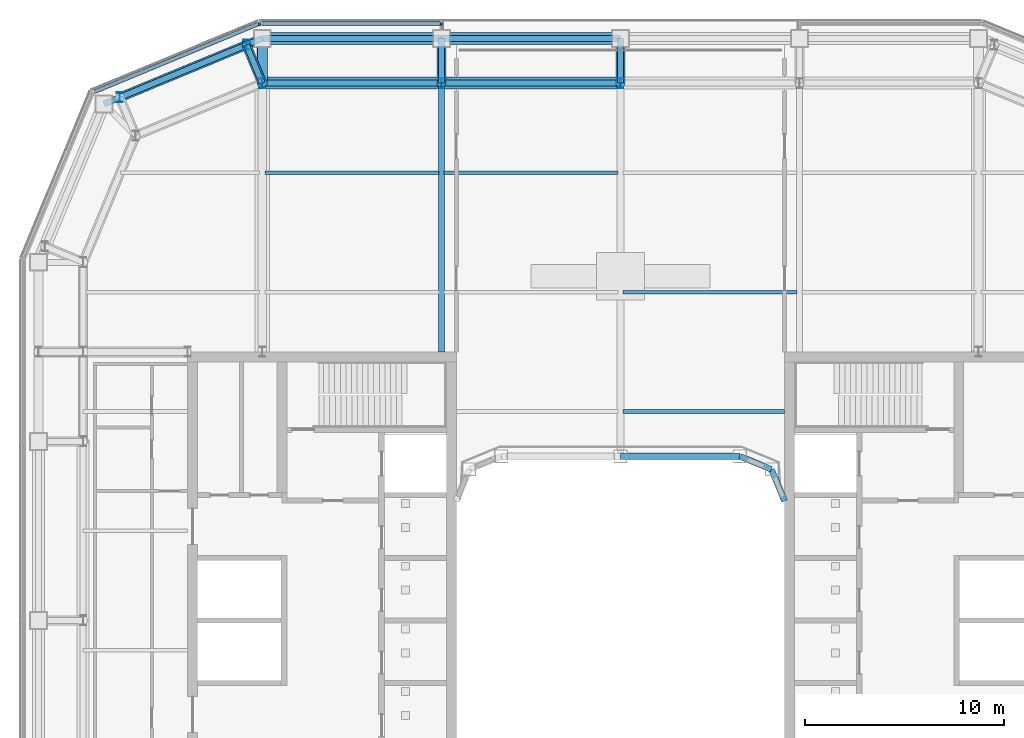
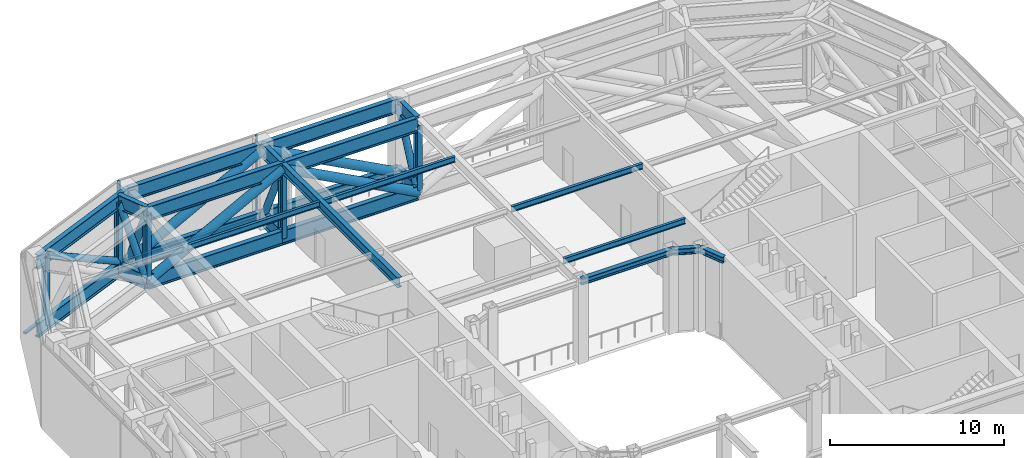
# One storey, part 7 of 22: 24 beams, 18 members, 2 elements without a shape of their own.
"""IFC4 building model written with IfcOpenShell, lengths in metres."""

from ifc_helpers import new_model, si_unit, direction, frame, origin, origin_2d, place, context, subcontext, project, spatial, rectangle, hollow_circle, i_section, extrude, material, layer, layer_set, material_profile, profile_set, type_object, element, aggregate, save


model = new_model("IFC4")

# Units and contexts
model_context = context("Model", 3, precision=1e-05, world=origin(), true_north=direction((0.0, 1.0)))
body_context = subcontext(model_context, "Body", "Model", "MODEL_VIEW")
ifc_project = project(units=[si_unit("LENGTHUNIT", "METRE"), si_unit("AREAUNIT", "SQUARE_METRE"), si_unit("VOLUMEUNIT", "CUBIC_METRE"), si_unit("PLANEANGLEUNIT", "RADIAN"), si_unit("MASSUNIT", "GRAM", prefix="KILO")], contexts=[model_context])

# Site, building, storey
site_placement = place(None, origin())
site = spatial("IfcSite", under=ifc_project, at=site_placement, CompositionType="ELEMENT")
building_placement = place(site_placement, origin())
building = spatial("IfcBuilding", under=site, at=building_placement, Name="Siwar Civic Tower", CompositionType="ELEMENT")
storey_placement = place(building_placement, frame((0.0, 0.0, 181.199951171875)))
storey = spatial("IfcBuildingStorey", under=building, at=storey_placement, Name="L39", CompositionType="ELEMENT", Elevation=181.199951171875)

# Curtain wall, member
ifc_material_1 = material(Name="Aluminium and glass", Category="aluminium")
ifc_layer = layer(ifc_material_1, 0.199951171875)
ifc_layer_set = layer_set([ifc_layer], Name="Aluminium and glass")
curtain_wall_type = type_object("IfcCurtainWallType", Name="ENV-CW-P", PredefinedType="NOTDEFINED", material=ifc_layer_set)
curtain_wall_1_placement = place(storey_placement, origin())
curtain_wall_1 = element("IfcCurtainWall", 1, at=curtain_wall_1_placement, inside=storey, type_object=curtain_wall_type, Name="Curtain wall P N-03", PredefinedType="NOTDEFINED")
ifc_material_2 = material(Name="Aluminium 6063-T6", Category="aluminium")
ifc_material_profile_1 = material_profile(ifc_material_2, rectangle(XDim=0.199951171875, YDim=0.10009765625, at=origin_2d()), Name="AL 200x100")
ifc_profile_set_1 = profile_set([ifc_material_profile_1], Name="Aluminium 6063-T6")
member_type_1 = type_object("IfcMemberType", Name="ENV-MULLION-P", PredefinedType="MULLION", material=ifc_profile_set_1)
member_1_placement = place(storey_placement, frame((-9.0, 30.0, 0.0), z_axis=(0.0, 0.0, 1.0), x_axis=(0.0, -1.0, 0.0)))
member_1 = element("IfcMember", 2, at=member_1_placement, type_object=member_type_1, Name="Mullion P N-03 1", PredefinedType="MULLION", context=body_context, shape_type="SweptSolid", body=[
    extrude(rectangle(XDim=0.199951171875, YDim=0.10009765625, at=origin_2d()), origin(), (0.0, 0.0, 1.0), 5.800048828125),
])

curtain_wall_2_placement = place(storey_placement, origin())
curtain_wall_2 = element("IfcCurtainWall", 3, at=curtain_wall_2_placement, inside=storey, type_object=curtain_wall_type, Name="Curtain wall P NW1", PredefinedType="NOTDEFINED")
member_2_placement = place(storey_placement, frame((-18.149169921875, 30.0, 0.0), z_axis=(0.0, 0.0, 1.0), x_axis=(0.382683432365, -0.923879532511, 0.0)))
member_2 = element("IfcMember", 4, at=member_2_placement, type_object=member_type_1, Name="Mullion P NW1 1", PredefinedType="MULLION", context=body_context, shape_type="SweptSolid", body=[
    extrude(rectangle(XDim=0.199951171875, YDim=0.10009765625, at=origin_2d()), origin(), (0.0, 0.0, 1.0), 5.800048828125),
])

# Member
ifc_material_3 = material(Name="Aluminium 6063-T6", Category="aluminium")
ifc_material_profile_2 = material_profile(ifc_material_3, rectangle(XDim=0.199951171875, YDim=0.1201171875, at=origin_2d()), Name="AL 200x120")
ifc_profile_set_2 = profile_set([ifc_material_profile_2], Name="Aluminium 6063-T6")
member_type_2 = type_object("IfcMemberType", Name="ENV-TRANSOM-P", PredefinedType="USERDEFINED", material=ifc_profile_set_2)
member_3_placement = place(storey_placement, frame((-9.050048828125, 30.0, 0.06005859375), z_axis=(-1.0, 0.0, 0.0), x_axis=(0.0, -1.0, 0.0)))
member_3 = element("IfcMember", 5, at=member_3_placement, type_object=member_type_2, Name="Transom P N-03 1", ObjectType="TRANSOM", PredefinedType="USERDEFINED", context=body_context, shape_type="SweptSolid", body=[
    extrude(rectangle(XDim=0.199951171875, YDim=0.1201171875, at=origin_2d()), origin(), (0.0, 0.0, 1.0), 8.97314453125),
])

aggregate(curtain_wall_1, [member_1, member_3])

member_4_placement = place(storey_placement, frame((-18.1953125, 29.98095703125, 0.06005859375), z_axis=(-0.9238756514, -0.382692802062, 0.0), x_axis=(0.382692802062, -0.9238756514, 0.0)))
member_4 = element("IfcMember", 6, at=member_4_placement, type_object=member_type_2, Name="Transom P NW1 1", ObjectType="TRANSOM", PredefinedType="USERDEFINED", context=body_context, shape_type="SweptSolid", body=[
    extrude(rectangle(XDim=0.199951171875, YDim=0.1201171875, at=origin_2d()), origin(), (0.0, 0.0, 1.0), 8.894287109375),
])

aggregate(curtain_wall_2, [member_2, member_4])

# Beams
ifc_material_4 = material(Name="Steel S460", Category="steel")
ifc_material_profile_3 = material_profile(ifc_material_4, i_section(OverallWidth=0.302001953125, OverallDepth=1.008056640625, WebThickness=0.02099609375, FlangeThickness=0.0400390625, FilletRadius=0.030029296875, at=origin_2d()), Name="HEM1000")
ifc_profile_set_3 = profile_set([ifc_material_profile_3], Name="Steel S460")
beam_type_1 = type_object("IfcBeamType", Name="STR-BELT-TRUSS-CHORD-HEM1000", PredefinedType="BEAM", material=ifc_profile_set_3)
for number, where, z_axis, x_axis, name in (
    (7, (0.0, 27.0, 0.504150390625), (-1.0, 0.0, 0.0), (0.0, -1.0, 0.0), "Belt truss chord"),
    (8, (0.0, 27.0, 5.296142578125), (-1.0, 0.0, 0.0), (0.0, -1.0, 0.0), "Belt truss chord"),
    (9, (-9.0, 27.0, 0.504150390625), (-1.0, 0.0, 0.0), (0.0, -1.0, 0.0), "Belt truss chord"),
    (10, (-9.0, 27.0, 5.296142578125), (-1.0, 0.0, 0.0), (0.0, -1.0, 0.0), "Belt truss chord"),
    (11, (0.0, 29.25, 0.504150390625), (-1.0, 0.0, 0.0), (0.0, -1.0, 0.0), "Belt truss chord"),
    (12, (0.0, 29.25, 5.296142578125), (-1.0, 0.0, 0.0), (0.0, -1.0, 0.0), "Belt truss chord"),
    (13, (-9.0, 29.25, 0.504150390625), (-1.0, 0.0, 0.0), (0.0, -1.0, 0.0), "Belt truss chord"),
    (14, (-9.0, 29.25, 5.296142578125), (-1.0, 0.0, 0.0), (0.0, -1.0, 0.0), "Belt truss chord"),
):
    element("IfcBeam", number, at=place(storey_placement, frame(where, z_axis=z_axis, x_axis=x_axis)), inside=storey, type_object=beam_type_1, Name=name, PredefinedType="BEAM", context=body_context, shape_type="SweptSolid", body=[
        extrude(i_section(OverallWidth=0.302001953125, OverallDepth=1.008056640625, WebThickness=0.02099609375, FlangeThickness=0.0400390625, FilletRadius=0.030029296875, at=origin_2d()), origin(), (0.0, 0.0, 1.0), 9.0),
    ])
for number, where, z_axis, x_axis, name in (
    (15, (-18.0, 29.25, 0.504150390625), (-0.923872720536, -0.382699877515, 0.0), (0.382699877515, -0.923872720536, 0.0), "Belt truss chord"),
    (16, (-18.0, 29.25, 5.296142578125), (-0.923872720536, -0.382699877515, 0.0), (0.382699877515, -0.923872720536, 0.0), "Belt truss chord"),
):
    element("IfcBeam", number, at=place(storey_placement, frame(where, z_axis=z_axis, x_axis=x_axis)), inside=storey, type_object=beam_type_1, Name=name, PredefinedType="BEAM", context=body_context, shape_type="SweptSolid", body=[
        extrude(i_section(OverallWidth=0.302001953125, OverallDepth=1.008056640625, WebThickness=0.02099609375, FlangeThickness=0.0400390625, FilletRadius=0.030029296875, at=origin_2d()), origin(), (0.0, 0.0, 1.0), 8.6103515625),
    ])

# Members
ifc_material_5 = material(Name="Steel S355", Category="steel")
ifc_material_profile_4 = material_profile(ifc_material_5, hollow_circle(Radius=0.228515625, WallThickness=0.02001953125, at=origin_2d()), Name="CHS457x20")
ifc_profile_set_4 = profile_set([ifc_material_profile_4], Name="Steel S355")
member_type_3 = type_object("IfcMemberType", Name="STR-BELT-TRUSS-DIAGONAL-CHS457x20", PredefinedType="BRACE", material=ifc_profile_set_4)
member_5_placement = place(storey_placement, frame((-17.99609375, 29.251708984375, 0.50146484375), z_axis=(-0.785776531187, -0.325504254378, 0.525929865493), x_axis=(0.38270847917, -0.923869157387, 0.0)))
element("IfcMember", 17, at=member_5_placement, inside=storey, type_object=member_type_3, Name="Belt truss diagonal", PredefinedType="BRACE", context=body_context, shape_type="SweptSolid", body=[
    extrude(hollow_circle(Radius=0.228515625, WallThickness=0.02001953125, at=origin_2d()), origin(), (0.0, 0.0, 1.0), 9.12109375),
])
for number, where, z_axis, x_axis, name in (
    (18, (0.0, 26.997802734375, 0.49951171875), (0.0, 0.425038765055, 0.905175147803), (-1.0, 0.0, 0.0), "Belt truss diagonal"),
    (19, (-9.0, 29.252197265625, 0.49951171875), (0.0, -0.425038765055, 0.905175147803), (1.0, 0.0, 0.0), "Belt truss diagonal"),
):
    element("IfcMember", number, at=place(storey_placement, frame(where, z_axis=z_axis, x_axis=x_axis)), inside=storey, type_object=member_type_3, Name=name, PredefinedType="BRACE", context=body_context, shape_type="SweptSolid", body=[
        extrude(hollow_circle(Radius=0.228515625, WallThickness=0.02001953125, at=origin_2d()), origin(), (0.0, 0.0, 1.0), 5.303955078125),
    ])
member_6_placement = place(storey_placement, frame((-17.999267578125, 26.998046875, 0.49951171875), z_axis=(-0.15226891252, 0.367703299168, 0.917392207325), x_axis=(-0.923913980191, -0.382600257719, 0.0)))
element("IfcMember", 20, at=member_6_placement, inside=storey, type_object=member_type_3, Name="Belt truss diagonal", PredefinedType="BRACE", context=body_context, shape_type="SweptSolid", body=[
    extrude(hollow_circle(Radius=0.228515625, WallThickness=0.02001953125, at=origin_2d()), origin(), (0.0, 0.0, 1.0), 5.2333984375),
])
ifc_material_6 = material(Name="Steel S355", Category="steel")
ifc_material_profile_5 = material_profile(ifc_material_6, hollow_circle(Radius=0.304931640625, WallThickness=0.030029296875, at=origin_2d()), Name="CHS610x30")
ifc_profile_set_5 = profile_set([ifc_material_profile_5], Name="Steel S355")
member_type_4 = type_object("IfcMemberType", Name="STR-BELT-TRUSS-DIAGONAL-CHS610x30", PredefinedType="BRACE", material=ifc_profile_set_5)
for number, where, z_axis, x_axis, name in (
    (21, (0.00439453125, 27.0, 0.501708984375), (-0.882680501151, 0.0, 0.469973544881), (0.0, -1.0, 0.0), "Belt truss diagonal"),
    (22, (-18.00439453125, 27.0, 0.501708984375), (0.882680501151, 0.0, 0.469973544881), (0.0, 1.0, 0.0), "Belt truss diagonal"),
    (23, (0.00439453125, 29.25, 0.501708984375), (-0.882680501151, 0.0, 0.469973544881), (0.0, -1.0, 0.0), "Belt truss diagonal"),
    (24, (-18.00439453125, 29.25, 0.501708984375), (0.882680501151, 0.0, 0.469973544881), (0.0, 1.0, 0.0), "Belt truss diagonal"),
):
    element("IfcMember", number, at=place(storey_placement, frame(where, z_axis=z_axis, x_axis=x_axis)), inside=storey, type_object=member_type_4, Name=name, PredefinedType="BRACE", context=body_context, shape_type="SweptSolid", body=[
        extrude(hollow_circle(Radius=0.304931640625, WallThickness=0.030029296875, at=origin_2d()), origin(), (0.0, 0.0, 1.0), 10.2060546875),
    ])

# Beams
ifc_material_7 = material(Name="Steel S460", Category="steel")
ifc_material_profile_6 = material_profile(ifc_material_7, i_section(OverallWidth=0.302001953125, OverallDepth=1.008056640625, WebThickness=0.02099609375, FlangeThickness=0.0400390625, FilletRadius=0.030029296875, at=origin_2d()), Name="HEM1000")
ifc_profile_set_6 = profile_set([ifc_material_profile_6], Name="Steel S460")
beam_type_2 = type_object("IfcBeamType", Name="STR-BELT-TRUSS-LADDER-CHORD-HEM1000", PredefinedType="BEAM", material=ifc_profile_set_6)
for number, where, z_axis, x_axis, name in (
    (25, (0.0, 27.0, 0.504150390625), (0.0, 1.0, 0.0), (-1.0, 0.0, 0.0), "Belt truss ladder chord"),
    (26, (0.0, 27.0, 5.296142578125), (0.0, 1.0, 0.0), (-1.0, 0.0, 0.0), "Belt truss ladder chord"),
    (27, (-9.0, 27.0, 0.504150390625), (0.0, 1.0, 0.0), (-1.0, 0.0, 0.0), "Belt truss ladder chord"),
    (28, (-9.0, 27.0, 5.296142578125), (0.0, 1.0, 0.0), (-1.0, 0.0, 0.0), "Belt truss ladder chord"),
):
    element("IfcBeam", number, at=place(storey_placement, frame(where, z_axis=z_axis, x_axis=x_axis)), inside=storey, type_object=beam_type_2, Name=name, PredefinedType="BEAM", context=body_context, shape_type="SweptSolid", body=[
        extrude(i_section(OverallWidth=0.302001953125, OverallDepth=1.008056640625, WebThickness=0.02099609375, FlangeThickness=0.0400390625, FilletRadius=0.030029296875, at=origin_2d()), origin(), (0.0, 0.0, 1.0), 2.25),
    ])
for number, where, z_axis, x_axis, name in (
    (29, (-18.0, 27.0, 0.504150390625), (-0.382662992588, 0.923887998679, 0.0), (-0.923887998679, -0.382662992588, 0.0), "Belt truss ladder chord"),
    (30, (-18.0, 27.0, 5.296142578125), (-0.382662992588, 0.923887998679, 0.0), (-0.923887998679, -0.382662992588, 0.0), "Belt truss ladder chord"),
):
    element("IfcBeam", number, at=place(storey_placement, frame(where, z_axis=z_axis, x_axis=x_axis)), inside=storey, type_object=beam_type_2, Name=name, PredefinedType="BEAM", context=body_context, shape_type="SweptSolid", body=[
        extrude(i_section(OverallWidth=0.302001953125, OverallDepth=1.008056640625, WebThickness=0.02099609375, FlangeThickness=0.0400390625, FilletRadius=0.030029296875, at=origin_2d()), origin(), (0.0, 0.0, 1.0), 2.07861328125),
    ])

# Members
ifc_material_8 = material(Name="Steel S355", Category="steel")
ifc_material_profile_7 = material_profile(ifc_material_8, i_section(OverallWidth=0.300048828125, OverallDepth=0.5, WebThickness=0.014404296875, FlangeThickness=0.028076171875, FilletRadius=0.027099609375, at=origin_2d()), Name="HEB500")
ifc_profile_set_7 = profile_set([ifc_material_profile_7], Name="Steel S355")
member_type_5 = type_object("IfcMemberType", Name="STR-BELT-TRUSS-POST-HEB500", PredefinedType="POST", material=ifc_profile_set_7)
for number, where, z_axis, x_axis, name in (
    (31, (-25.159423828125, 26.284423828125, 0.504150390625), (0.0, 0.0, 1.0), (1.0, 0.0, 0.0), "Belt truss post"),
    (32, (-18.79541015625, 28.92041015625, 0.504150390625), (0.0, 0.0, 1.0), (1.0, 0.0, 0.0), "Belt truss post"),
    (33, (-18.0, 27.0, 0.504150390625), (0.0, 0.0, 1.0), (1.0, 0.0, 0.0), "Belt truss post"),
    (34, (-9.0, 27.0, 0.504150390625), (0.0, 0.0, 1.0), (1.0, 0.0, 0.0), "Belt truss post"),
    (35, (0.0, 27.0, 0.504150390625), (0.0, 0.0, 1.0), (1.0, 0.0, 0.0), "Belt truss post"),
):
    element("IfcMember", number, at=place(storey_placement, frame(where, z_axis=z_axis, x_axis=x_axis)), inside=storey, type_object=member_type_5, Name=name, PredefinedType="POST", context=body_context, shape_type="SweptSolid", body=[
        extrude(i_section(OverallWidth=0.300048828125, OverallDepth=0.5, WebThickness=0.014404296875, FlangeThickness=0.028076171875, FilletRadius=0.027099609375, at=origin_2d()), origin(), (0.0, 0.0, 1.0), 4.7919921875),
    ])

# Beams
ifc_material_9 = material(Name="Steel S355", Category="steel")
ifc_material_profile_8 = material_profile(ifc_material_9, i_section(OverallWidth=0.179931640625, OverallDepth=0.39990234375, WebThickness=0.008544921875, FlangeThickness=0.013427734375, FilletRadius=0.02099609375, at=origin_2d()), Name="IPE400")
ifc_profile_set_8 = profile_set([ifc_material_profile_8], Name="Steel S355")
beam_type_3 = type_object("IfcBeamType", Name="STR-FB-IPE400", PredefinedType="JOIST", material=ifc_profile_set_8)
beam_1_placement = place(storey_placement, frame((0.1298828125, 10.5, 5.60009765625), z_axis=(1.0, 0.0, 0.0), x_axis=(0.0, 1.0, 0.0)))
element("IfcBeam", 36, at=beam_1_placement, inside=storey, type_object=beam_type_3, Name="L39/bm/F025", PredefinedType="JOIST", context=body_context, shape_type="SweptSolid", body=[
    extrude(i_section(OverallWidth=0.179931640625, OverallDepth=0.39990234375, WebThickness=0.008544921875, FlangeThickness=0.013427734375, FilletRadius=0.02099609375, at=origin_2d()), origin(), (0.0, 0.0, 1.0), 8.1201171875),
])
for number, where, z_axis, x_axis, name in (
    (37, (0.1298828125, 16.5, 5.60009765625), (1.0, 0.0, 0.0), (0.0, 1.0, 0.0), "L39/bm/F030"),
    (38, (-17.8701171875, 22.5, 5.60009765625), (1.0, 0.0, 0.0), (0.0, 1.0, 0.0), "L39/bm/F034"),
    (39, (-8.8701171875, 22.5, 5.60009765625), (1.0, 0.0, 0.0), (0.0, 1.0, 0.0), "L39/bm/F035"),
):
    element("IfcBeam", number, at=place(storey_placement, frame(where, z_axis=z_axis, x_axis=x_axis)), inside=storey, type_object=beam_type_3, Name=name, PredefinedType="JOIST", context=body_context, shape_type="SweptSolid", body=[
        extrude(i_section(OverallWidth=0.179931640625, OverallDepth=0.39990234375, WebThickness=0.008544921875, FlangeThickness=0.013427734375, FilletRadius=0.02099609375, at=origin_2d()), origin(), (0.0, 0.0, 1.0), 8.740234375),
    ])

# Member
ifc_material_10 = material(Name="Steel S355", Category="steel")
ifc_material_profile_9 = material_profile(ifc_material_10, hollow_circle(Radius=0.25390625, WallThickness=0.02490234375, at=origin_2d()), Name="CHS508x25")
ifc_profile_set_9 = profile_set([ifc_material_profile_9], Name="Steel S355")
member_type_6 = type_object("IfcMemberType", Name="STR-OUTRIGGER-TRUSS-DIAGONAL-CHS508x25", PredefinedType="BRACE", material=ifc_profile_set_9)
member_7_placement = place(storey_placement, frame((-18.0, 29.252197265625, 0.49951171875), z_axis=(0.0, -0.425038765055, 0.905175147803), x_axis=(1.0, 0.0, 0.0)))
element("IfcMember", 40, at=member_7_placement, inside=storey, type_object=member_type_6, Name="Outrigger truss diagonal", PredefinedType="BRACE", context=body_context, shape_type="SweptSolid", body=[
    extrude(hollow_circle(Radius=0.25390625, WallThickness=0.02490234375, at=origin_2d()), origin(), (0.0, 0.0, 1.0), 5.303955078125),
])

# Beams
ifc_material_11 = material(Name="Steel S355", Category="steel")
ifc_material_profile_10 = material_profile(ifc_material_11, i_section(OverallWidth=0.300048828125, OverallDepth=0.699951171875, WebThickness=0.01708984375, FlangeThickness=0.031982421875, FilletRadius=0.027099609375, at=origin_2d()), Name="HEB700")
ifc_profile_set_10 = profile_set([ifc_material_profile_10], Name="Steel S355")
beam_type_4 = type_object("IfcBeamType", Name="STR-PG-HEB700", PredefinedType="BEAM", material=ifc_profile_set_10)
beam_2_placement = place(storey_placement, frame((-9.0, 13.5, 5.449951171875), z_axis=(0.0, 1.0, 0.0), x_axis=(-1.0, 0.0, 0.0)))
element("IfcBeam", 41, at=beam_2_placement, inside=storey, type_object=beam_type_4, Name="L39/bm/G02", PredefinedType="BEAM", context=body_context, shape_type="SweptSolid", body=[
    extrude(i_section(OverallWidth=0.300048828125, OverallDepth=0.699951171875, WebThickness=0.01708984375, FlangeThickness=0.031982421875, FilletRadius=0.027099609375, at=origin_2d()), origin(), (0.0, 0.0, 1.0), 13.5),
])
ifc_material_12 = material(Name="Steel S355", Category="steel")
ifc_material_profile_11 = material_profile(ifc_material_12, i_section(OverallWidth=0.306884765625, OverallDepth=0.431884765625, WebThickness=0.02099609375, FlangeThickness=0.0400390625, FilletRadius=0.027099609375, at=origin_2d()), Name="HEM400")
ifc_profile_set_11 = profile_set([ifc_material_profile_11], Name="Steel S355")
beam_type_5 = type_object("IfcBeamType", Name="STR-RB-HEM400", PredefinedType="BEAM", material=ifc_profile_set_11)
beam_3_placement = place(storey_placement, frame((0.0, 8.25, 5.583984375), z_axis=(1.0, 0.0, 0.0), x_axis=(0.0, 1.0, 0.0)))
element("IfcBeam", 42, at=beam_3_placement, inside=storey, type_object=beam_type_5, Name="L39/bm/RN2", PredefinedType="BEAM", context=body_context, shape_type="SweptSolid", body=[
    extrude(i_section(OverallWidth=0.306884765625, OverallDepth=0.431884765625, WebThickness=0.02099609375, FlangeThickness=0.0400390625, FilletRadius=0.027099609375, at=origin_2d()), origin(), (0.0, 0.0, 1.0), 6.0),
])
for number, where, z_axis, x_axis, name in (
    (43, (6.0, 8.25, 5.583984375), (0.923901072997, -0.382631424892, 0.0), (0.382631424892, 0.923901072997, 0.0), "L39/bm/RN3"),
    (44, (7.591064453125, 7.591064453125, 5.583984375), (0.382631424892, -0.923901072997, 0.0), (0.923901072997, 0.382631424892, 0.0), "L39/bm/RNEE"),
):
    element("IfcBeam", number, at=place(storey_placement, frame(where, z_axis=z_axis, x_axis=x_axis)), inside=storey, type_object=beam_type_5, Name=name, PredefinedType="BEAM", context=body_context, shape_type="SweptSolid", body=[
        extrude(i_section(OverallWidth=0.306884765625, OverallDepth=0.431884765625, WebThickness=0.02099609375, FlangeThickness=0.0400390625, FilletRadius=0.027099609375, at=origin_2d()), origin(), (0.0, 0.0, 1.0), 1.72216796875),
    ])

save(model, "model.ifc")
